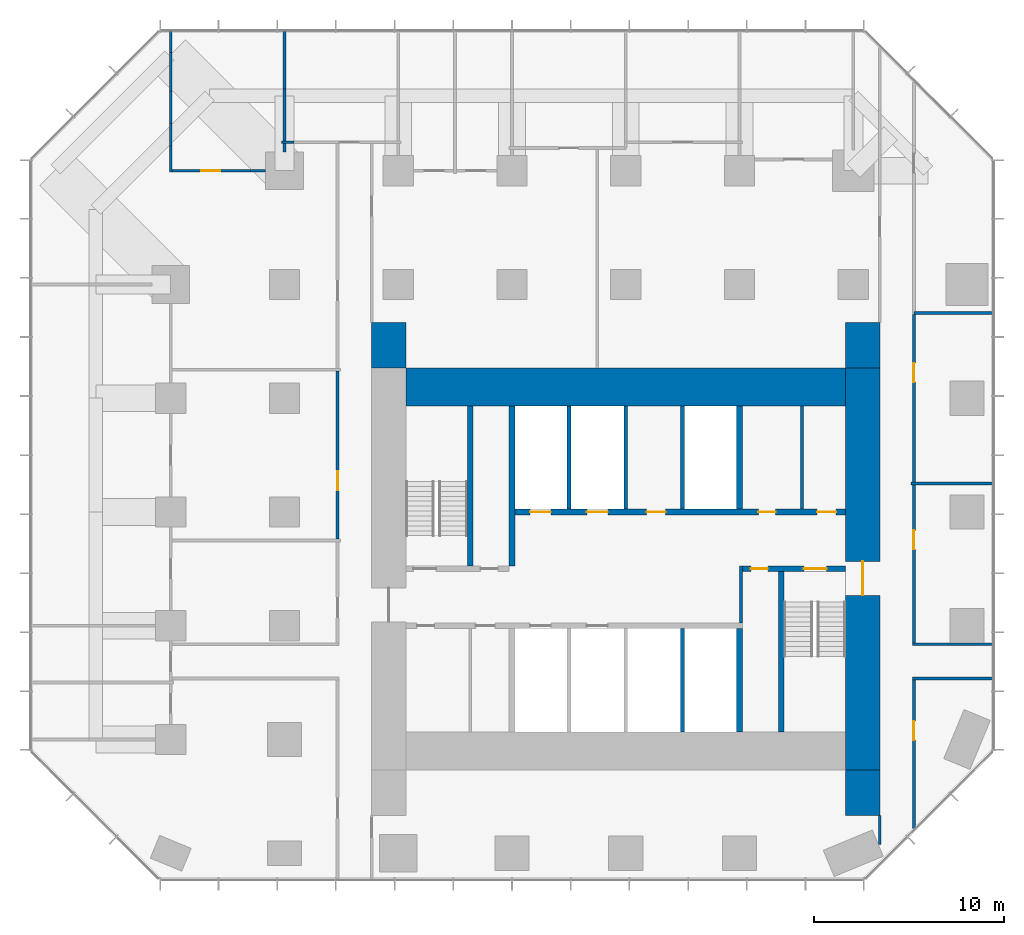
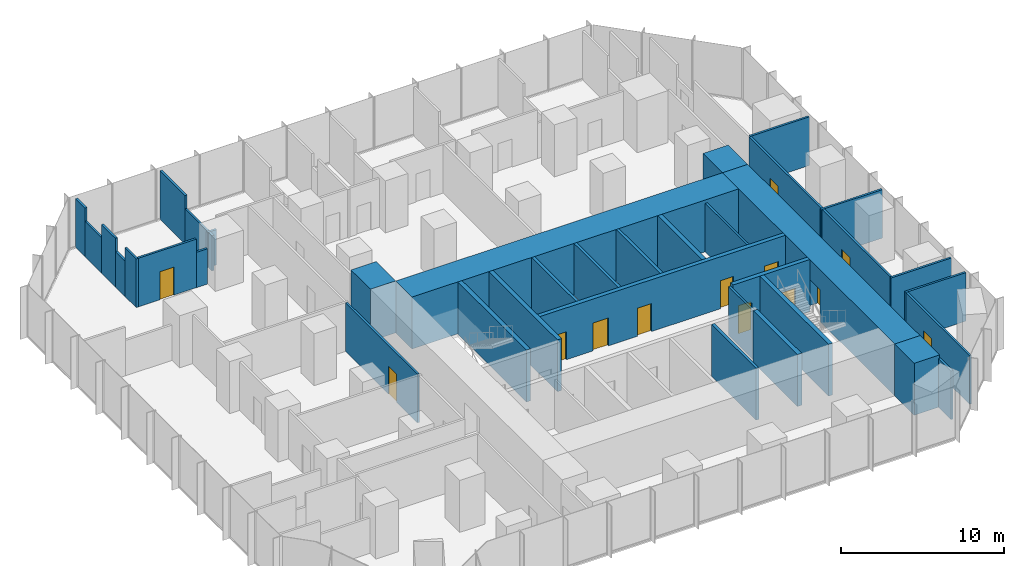
# One storey, part 9 of 12: 38 walls, 13 doors, 13 openings.
"""IFC4 building model written with IfcOpenShell, lengths in metres."""

from ifc_helpers import new_model, si_unit, direction, frame, frame_2d, origin, place, context, subcontext, project, spatial, rectangle, extrude, material, layer, layer_set, type_object, element, fill, save


model = new_model("IFC4")

# Units and contexts
model_context = context("Model", 3, precision=1e-05, world=origin(), true_north=direction((0.0, 1.0)))
body_context = subcontext(model_context, "Body", "Model", "MODEL_VIEW")
ifc_project = project(units=[si_unit("LENGTHUNIT", "METRE"), si_unit("AREAUNIT", "SQUARE_METRE"), si_unit("VOLUMEUNIT", "CUBIC_METRE"), si_unit("PLANEANGLEUNIT", "RADIAN"), si_unit("MASSUNIT", "GRAM", prefix="KILO")], contexts=[model_context])

# Site, building, storey
site_placement = place(None, origin())
site = spatial("IfcSite", under=ifc_project, at=site_placement, CompositionType="ELEMENT")
building_placement = place(site_placement, origin())
building = spatial("IfcBuilding", under=site, at=building_placement, Name="Highveld Stack Headquarters", CompositionType="ELEMENT")
storey_placement = place(building_placement, frame((0.0, 0.0, 101.60009765625)))
storey = spatial("IfcBuildingStorey", under=building, at=storey_placement, Name="L24", CompositionType="ELEMENT", Elevation=101.60009765625)

# Wall, opening, door
ifc_material_1 = material(Name="Concrete C60/75", Category="concrete")
ifc_layer_1 = layer(ifc_material_1, 1.800048828125)
ifc_layer_set_1 = layer_set([ifc_layer_1], Name="Concrete C60/75")
wall_type_1 = type_object("IfcWallType", Name="CORE WALL 1800 C60/75", PredefinedType="SHEAR", material=ifc_layer_set_1)
wall_1_placement = place(storey_placement, frame((18.5, -7.60009765625, 0.0), z_axis=(0.0, 0.0, 1.0), x_axis=(0.0, 1.0, 0.0)))
wall_1 = element("IfcWall", 1, at=wall_1_placement, inside=storey, type_object=wall_type_1, Name="Core wall E L24", PredefinedType="SHEAR", context=body_context, shape_type="SweptSolid", body=[
    extrude(rectangle(XDim=21.2001953125, YDim=1.800048828125, at=frame_2d((10.60009765625, 0.0))), origin(), (0.0, 0.0, 1.0), 3.89990234375),
])
opening_1_placement = place(wall_1_placement, frame((9.199951171875, 0.0, 0.0)))
opening_1 = element("IfcOpeningElement", 2, at=opening_1_placement, cuts=wall_1, Name="Opening L24-02", PredefinedType="OPENING", context=body_context, shape_type="SweptSolid", body=[
    extrude(rectangle(XDim=1.800048828125, YDim=2.39990234375, at=frame_2d((0.89990234375, 1.199951171875))), frame((0.0, 0.909912109375, 0.0), z_axis=(0.0, -1.0, 0.0), x_axis=(1.0, 0.0, 0.0)), (0.0, 0.0, 1.0), 1.820068359375),
])
ifc_material_2 = material(Name="Steel fire door", Category="steel")
door_type_1 = type_object("IfcDoorType", Name="LOBBY FIRE DOOR D4 1800x2400", OperationType="DOUBLE_DOOR_SINGLE_SWING", PredefinedType="DOOR", material=ifc_material_2)
door_1_placement = place(opening_1_placement, origin())
door_1 = element("IfcDoor", 3, at=door_1_placement, inside=storey, type_object=door_type_1, Name="Core east door L24", OperationType="DOUBLE_DOOR_SINGLE_SWING", OverallHeight=2.39990234375, OverallWidth=1.800048828125, PredefinedType="DOOR", context=body_context, shape_type="SweptSolid", body=[
    extrude(rectangle(XDim=1.800048828125, YDim=2.39990234375, at=frame_2d((0.89990234375, 1.199951171875))), frame((0.0, 0.02490234375, 0.0), z_axis=(0.0, -1.0, 0.0), x_axis=(1.0, 0.0, 0.0)), (0.0, 0.0, 1.0), 0.050048828125),
])
fill(opening_1, door_1)

# Wall
ifc_material_3 = material(Name="Concrete C60/75", Category="concrete")
ifc_layer_2 = layer(ifc_material_3, 2.0)
ifc_layer_set_2 = layer_set([ifc_layer_2], Name="Concrete C60/75")
wall_type_2 = type_object("IfcWallType", Name="CORE WALL 2000 C60/75", PredefinedType="SHEAR", material=ifc_layer_set_2)
wall_2_placement = place(storey_placement, frame((-5.60009765625, 12.60009765625, 0.0), z_axis=(0.0, 0.0, 1.0), x_axis=(1.0, 0.0, 0.0)))
element("IfcWall", 4, at=wall_2_placement, inside=storey, type_object=wall_type_2, Name="Core wall N L24", PredefinedType="SHEAR", context=body_context, shape_type="SweptSolid", body=[
    extrude(rectangle(XDim=23.2001953125, YDim=2.0, at=frame_2d((11.60009765625, 0.0))), origin(), (0.0, 0.0, 1.0), 3.89990234375),
])

# Wall, openings, doors
ifc_material_4 = material(Name="Concrete C60/75", Category="concrete")
ifc_layer_3 = layer(ifc_material_4, 0.300048828125)
ifc_layer_set_3 = layer_set([ifc_layer_3], Name="Concrete C60/75")
wall_type_3 = type_object("IfcWallType", Name="CORE WALL 300 C60/75", PredefinedType="SHEAR", material=ifc_layer_set_3)
wall_3_placement = place(storey_placement, frame((12.14990234375, 3.0, 0.0), z_axis=(0.0, 0.0, 1.0), x_axis=(1.0, 0.0, 0.0)))
wall_3 = element("IfcWall", 5, at=wall_3_placement, inside=storey, type_object=wall_type_3, Name="Core wall I-Y3E L24", PredefinedType="SHEAR", context=body_context, shape_type="SweptSolid", body=[
    extrude(rectangle(XDim=5.4501953125, YDim=0.300048828125, at=frame_2d((2.72509765625, 0.0))), origin(), (0.0, 0.0, 1.0), 3.89990234375),
])
opening_2_placement = place(wall_3_placement, frame((3.25, 0.0, 0.0)))
opening_2 = element("IfcOpeningElement", 6, at=opening_2_placement, cuts=wall_3, Name="Opening L24-05", PredefinedType="OPENING", context=body_context, shape_type="SweptSolid", body=[
    extrude(rectangle(XDim=1.199951171875, YDim=2.10009765625, at=frame_2d((0.60009765625, 1.050048828125))), frame((0.0, 0.159912109375, 0.0), z_axis=(0.0, -1.0, 0.0), x_axis=(1.0, 0.0, 0.0)), (0.0, 0.0, 1.0), 0.320068359375),
])
opening_3_placement = place(wall_3_placement, frame((0.449951171875, 0.0, 0.0)))
opening_3 = element("IfcOpeningElement", 7, at=opening_3_placement, cuts=wall_3, Name="Opening L24-06", PredefinedType="OPENING", context=body_context, shape_type="SweptSolid", body=[
    extrude(rectangle(XDim=0.89990234375, YDim=2.10009765625, at=frame_2d((0.449951171875, 1.050048828125))), frame((0.0, 0.159912109375, 0.0), z_axis=(0.0, -1.0, 0.0), x_axis=(1.0, 0.0, 0.0)), (0.0, 0.0, 1.0), 0.320068359375),
])
ifc_material_5 = material(Name="Steel fire door", Category="steel")
door_type_2 = type_object("IfcDoorType", Name="RISER ACCESS DOOR D5 900x2100", OperationType="SINGLE_SWING_LEFT", PredefinedType="DOOR", material=ifc_material_5)
door_2_placement = place(opening_3_placement, origin())
door_2 = element("IfcDoor", 8, at=door_2_placement, inside=storey, type_object=door_type_2, Name="Riser R2 door L24", OperationType="SINGLE_SWING_LEFT", OverallHeight=2.10009765625, OverallWidth=0.89990234375, PredefinedType="DOOR", context=body_context, shape_type="SweptSolid", body=[
    extrude(rectangle(XDim=0.89990234375, YDim=2.10009765625, at=frame_2d((0.449951171875, 1.050048828125))), frame((0.0, 0.02490234375, 0.0), z_axis=(0.0, -1.0, 0.0), x_axis=(1.0, 0.0, 0.0)), (0.0, 0.0, 1.0), 0.050048828125),
])
fill(opening_3, door_2)
ifc_material_6 = material(Name="Steel fire door", Category="steel")
door_type_3 = type_object("IfcDoorType", Name="STAIR FIRE DOOR D3 1200x2100", OperationType="SINGLE_SWING_LEFT", PredefinedType="DOOR", material=ifc_material_6)
door_3_placement = place(opening_2_placement, origin())
door_3 = element("IfcDoor", 9, at=door_3_placement, inside=storey, type_object=door_type_3, Name="Stair S2 door L24", OperationType="SINGLE_SWING_RIGHT", OverallHeight=2.10009765625, OverallWidth=1.199951171875, PredefinedType="DOOR", context=body_context, shape_type="SweptSolid", body=[
    extrude(rectangle(XDim=1.199951171875, YDim=2.10009765625, at=frame_2d((0.60009765625, 1.050048828125))), frame((0.0, 0.02490234375, 0.0), z_axis=(0.0, -1.0, 0.0), x_axis=(1.0, 0.0, 0.0)), (0.0, 0.0, 1.0), 0.050048828125),
])
fill(opening_2, door_3)

wall_4_placement = place(storey_placement, frame((-0.14990234375, 6.0, 0.0), z_axis=(0.0, 0.0, 1.0), x_axis=(1.0, 0.0, 0.0)))
wall_4 = element("IfcWall", 10, at=wall_4_placement, inside=storey, type_object=wall_type_3, Name="Core wall I-Y6 L24", PredefinedType="SHEAR", context=body_context, shape_type="SweptSolid", body=[
    extrude(rectangle(XDim=17.75, YDim=0.300048828125, at=frame_2d((8.875, 0.0))), origin(), (0.0, 0.0, 1.0), 3.89990234375),
])
opening_4_placement = place(wall_4_placement, frame((13.14990234375, 0.0, 0.0)))
opening_4 = element("IfcOpeningElement", 11, at=opening_4_placement, cuts=wall_4, Name="Opening L24-09", PredefinedType="OPENING", context=body_context, shape_type="SweptSolid", body=[
    extrude(rectangle(XDim=0.89990234375, YDim=2.10009765625, at=frame_2d((0.449951171875, 1.050048828125))), frame((0.0, 0.159912109375, 0.0), z_axis=(0.0, -1.0, 0.0), x_axis=(1.0, 0.0, 0.0)), (0.0, 0.0, 1.0), 0.320068359375),
])
opening_5_placement = place(wall_4_placement, frame((16.25, 0.0, 0.0)))
opening_5 = element("IfcOpeningElement", 12, at=opening_5_placement, cuts=wall_4, Name="Opening L24-10", PredefinedType="OPENING", context=body_context, shape_type="SweptSolid", body=[
    extrude(rectangle(XDim=1.0, YDim=2.10009765625, at=frame_2d((0.5, 1.050048828125))), frame((0.0, 0.159912109375, 0.0), z_axis=(0.0, -1.0, 0.0), x_axis=(1.0, 0.0, 0.0)), (0.0, 0.0, 1.0), 0.320068359375),
])
opening_6_placement = place(wall_4_placement, frame((7.25, 0.0, 0.0)))
opening_6 = element("IfcOpeningElement", 13, at=opening_6_placement, cuts=wall_4, Name="Opening L24-11", PredefinedType="OPENING", context=body_context, shape_type="SweptSolid", body=[
    extrude(rectangle(XDim=1.0, YDim=2.10009765625, at=frame_2d((0.5, 1.050048828125))), frame((0.0, 0.159912109375, 0.0), z_axis=(0.0, -1.0, 0.0), x_axis=(1.0, 0.0, 0.0)), (0.0, 0.0, 1.0), 0.320068359375),
])
opening_7_placement = place(wall_4_placement, frame((1.10009765625, 0.0, 0.0)))
opening_7 = element("IfcOpeningElement", 14, at=opening_7_placement, cuts=wall_4, Name="Opening LD", PredefinedType="OPENING", context=body_context, shape_type="SweptSolid", body=[
    extrude(rectangle(XDim=1.10009765625, YDim=2.10009765625, at=frame_2d((0.550048828125, 1.050048828125))), frame((0.0, 0.159912109375, 0.0), z_axis=(0.0, -1.0, 0.0), x_axis=(1.0, 0.0, 0.0)), (0.0, 0.0, 1.0), 0.320068359375),
])
opening_8_placement = place(wall_4_placement, frame((4.10009765625, 0.0, 0.0)))
opening_8 = element("IfcOpeningElement", 15, at=opening_8_placement, cuts=wall_4, Name="Opening LD", PredefinedType="OPENING", context=body_context, shape_type="SweptSolid", body=[
    extrude(rectangle(XDim=1.10009765625, YDim=2.10009765625, at=frame_2d((0.550048828125, 1.050048828125))), frame((0.0, 0.159912109375, 0.0), z_axis=(0.0, -1.0, 0.0), x_axis=(1.0, 0.0, 0.0)), (0.0, 0.0, 1.0), 0.320068359375),
])
ifc_material_7 = material(Name="Timber door, painted", Category="wood")
door_type_4 = type_object("IfcDoorType", Name="ACCESSIBLE WC DOOR D2 1000x2100", OperationType="SINGLE_SWING_RIGHT", PredefinedType="DOOR", material=ifc_material_7)
door_4_placement = place(opening_5_placement, origin())
door_4 = element("IfcDoor", 16, at=door_4_placement, inside=storey, type_object=door_type_4, Name="Accessible WC door L24", OperationType="SINGLE_SWING_RIGHT", OverallHeight=2.10009765625, OverallWidth=1.0, PredefinedType="DOOR", context=body_context, shape_type="SweptSolid", body=[
    extrude(rectangle(XDim=1.0, YDim=2.10009765625, at=frame_2d((0.5, 1.050048828125))), frame((0.0, 0.02490234375, 0.0), z_axis=(0.0, -1.0, 0.0), x_axis=(1.0, 0.0, 0.0)), (0.0, 0.0, 1.0), 0.050048828125),
])
fill(opening_5, door_4)
ifc_material_8 = material(Name="Steel fire door", Category="steel")
door_type_5 = type_object("IfcDoorType", Name="CORE ROOM FIRE DOOR D14 1000x2100", OperationType="SINGLE_SWING_LEFT", PredefinedType="DOOR", material=ifc_material_8)
door_5_placement = place(opening_6_placement, origin())
door_5 = element("IfcDoor", 17, at=door_5_placement, inside=storey, type_object=door_type_5, Name="Capped A 1 door L24", OperationType="SINGLE_SWING_LEFT", OverallHeight=2.10009765625, OverallWidth=1.0, PredefinedType="DOOR", context=body_context, shape_type="SweptSolid", body=[
    extrude(rectangle(XDim=1.0, YDim=2.10009765625, at=frame_2d((0.5, 1.050048828125))), frame((0.0, 0.02490234375, 0.0), z_axis=(0.0, -1.0, 0.0), x_axis=(1.0, 0.0, 0.0)), (0.0, 0.0, 1.0), 0.050048828125),
])
fill(opening_6, door_5)
ifc_material_9 = material(Name="Stainless steel lift landing door", Category="steel")
door_type_6 = type_object("IfcDoorType", Name="LIFT LANDING DOOR LD 1100x2100", OperationType="DOUBLE_DOOR_SLIDING", PredefinedType="USERDEFINED", material=ifc_material_9)
door_6_placement = place(opening_7_placement, origin())
door_6 = element("IfcDoor", 18, at=door_6_placement, inside=storey, type_object=door_type_6, Name="Lift landing door FF1 L24", ObjectType="LIFT LANDING DOOR", OperationType="DOUBLE_DOOR_SLIDING", OverallHeight=2.10009765625, OverallWidth=1.10009765625, PredefinedType="USERDEFINED", context=body_context, shape_type="SweptSolid", body=[
    extrude(rectangle(XDim=1.10009765625, YDim=2.10009765625, at=frame_2d((0.550048828125, 1.050048828125))), frame((0.0, 0.02490234375, 0.0), z_axis=(0.0, -1.0, 0.0), x_axis=(1.0, 0.0, 0.0)), (0.0, 0.0, 1.0), 0.050048828125),
])
fill(opening_7, door_6)
door_7_placement = place(opening_8_placement, origin())
door_7 = element("IfcDoor", 19, at=door_7_placement, inside=storey, type_object=door_type_6, Name="Lift landing door FF2 L24", ObjectType="LIFT LANDING DOOR", OperationType="DOUBLE_DOOR_SLIDING", OverallHeight=2.10009765625, OverallWidth=1.10009765625, PredefinedType="USERDEFINED", context=body_context, shape_type="SweptSolid", body=[
    extrude(rectangle(XDim=1.10009765625, YDim=2.10009765625, at=frame_2d((0.550048828125, 1.050048828125))), frame((0.0, 0.02490234375, 0.0), z_axis=(0.0, -1.0, 0.0), x_axis=(1.0, 0.0, 0.0)), (0.0, 0.0, 1.0), 0.050048828125),
])
fill(opening_8, door_7)
ifc_material_10 = material(Name="Timber door, painted", Category="wood")
door_type_7 = type_object("IfcDoorType", Name="WC DOOR D1 900x2100", OperationType="SINGLE_SWING_LEFT", PredefinedType="DOOR", material=ifc_material_10)
door_8_placement = place(opening_4_placement, origin())
door_8 = element("IfcDoor", 20, at=door_8_placement, inside=storey, type_object=door_type_7, Name="Male WC door L24", OperationType="SINGLE_SWING_RIGHT", OverallHeight=2.10009765625, OverallWidth=0.89990234375, PredefinedType="DOOR", context=body_context, shape_type="SweptSolid", body=[
    extrude(rectangle(XDim=0.89990234375, YDim=2.10009765625, at=frame_2d((0.449951171875, 1.050048828125))), frame((0.0, 0.02490234375, 0.0), z_axis=(0.0, -1.0, 0.0), x_axis=(1.0, 0.0, 0.0)), (0.0, 0.0, 1.0), 0.050048828125),
])
fill(opening_4, door_8)

# Walls
wall_5_placement = place(storey_placement, frame((0.0, 3.14990234375, 0.0), z_axis=(0.0, 0.0, 1.0), x_axis=(0.0, 1.0, 0.0)))
element("IfcWall", 21, at=wall_5_placement, inside=storey, type_object=wall_type_3, Name="Core wall I-X0N L24", PredefinedType="SHEAR", context=body_context, shape_type="SweptSolid", body=[
    extrude(rectangle(XDim=8.4501953125, YDim=0.300048828125, at=frame_2d((4.22509765625, 0.0))), origin(), (0.0, 0.0, 1.0), 3.89990234375),
])
for number, where, z_axis, x_axis, name in (
    (22, (12.0, -5.60009765625, 0.0), (0.0, 0.0, 1.0), (0.0, 1.0, 0.0), "Core wall I-X12S L24"),
    (23, (12.0, 6.14990234375, 0.0), (0.0, 0.0, 1.0), (0.0, 1.0, 0.0), "Core wall I-X12N L24"),
):
    element("IfcWall", number, at=place(storey_placement, frame(where, z_axis=z_axis, x_axis=x_axis)), inside=storey, type_object=wall_type_3, Name=name, PredefinedType="SHEAR", context=body_context, shape_type="SweptSolid", body=[
        extrude(rectangle(XDim=5.4501953125, YDim=0.300048828125, at=frame_2d((2.72509765625, 0.0))), origin(), (0.0, 0.0, 1.0), 3.89990234375),
    ])
for number, where, z_axis, x_axis, name in (
    (24, (-2.199951171875, 3.14990234375, 0.0), (0.0, 0.0, 1.0), (0.0, 1.0, 0.0), "Core wall I-RW L24"),
    (25, (14.199951171875, -5.60009765625, 0.0), (0.0, 0.0, 1.0), (0.0, 1.0, 0.0), "Core wall I-RE L24"),
):
    element("IfcWall", number, at=place(storey_placement, frame(where, z_axis=z_axis, x_axis=x_axis)), inside=storey, type_object=wall_type_3, Name=name, PredefinedType="SHEAR", context=body_context, shape_type="SweptSolid", body=[
        extrude(rectangle(XDim=8.4501953125, YDim=0.300048828125, at=frame_2d((4.22509765625, 0.0))), origin(), (0.0, 0.0, 1.0), 3.89990234375),
    ])
ifc_material_11 = material(Name="Concrete C60/75", Category="concrete")
ifc_layer_4 = layer(ifc_material_11, 1.800048828125)
ifc_layer_set_4 = layer_set([ifc_layer_4], Name="Concrete C60/75")
wall_type_4 = type_object("IfcWallType", Name="CORE WING WALL 1800 C60/75", PredefinedType="SHEAR", material=ifc_layer_set_4)
for number, where, z_axis, x_axis, name in (
    (26, (-6.5, 13.60009765625, 0.0), (0.0, 0.0, 1.0), (0.0, 1.0, 0.0), "Core wing wall WN L24"),
    (27, (18.5, -10.0, 0.0), (0.0, 0.0, 1.0), (0.0, 1.0, 0.0), "Core wing wall ES L24"),
    (28, (18.5, 13.60009765625, 0.0), (0.0, 0.0, 1.0), (0.0, 1.0, 0.0), "Core wing wall EN L24"),
):
    element("IfcWall", number, at=place(storey_placement, frame(where, z_axis=z_axis, x_axis=x_axis)), inside=storey, type_object=wall_type_4, Name=name, PredefinedType="SHEAR", context=body_context, shape_type="SweptSolid", body=[
        extrude(rectangle(XDim=2.39990234375, YDim=1.800048828125, at=frame_2d((1.199951171875, 0.0))), origin(), (0.0, 0.0, 1.0), 3.89990234375),
    ])
ifc_material_12 = material(Name="Concrete blockwork, plastered", Category="masonry")
ifc_layer_5 = layer(ifc_material_12, 0.14990234375)
ifc_layer_set_5 = layer_set([ifc_layer_5], Name="Concrete blockwork, plastered")
wall_type_5 = type_object("IfcWallType", Name="FIRE PARTITION 150 BLOCKWORK", PredefinedType="PARTITIONING", material=ifc_layer_set_5)
wall_6_placement = place(storey_placement, frame((12.074951171875, 0.14990234375, 0.0), z_axis=(0.0, 0.0, 1.0), x_axis=(0.0, 1.0, 0.0)))
element("IfcWall", 29, at=wall_6_placement, inside=storey, type_object=wall_type_5, Name="Riser R2 enclosure L24", PredefinedType="PARTITIONING", context=body_context, shape_type="SweptSolid", body=[
    extrude(rectangle(XDim=3.0, YDim=0.14990234375, at=frame_2d((1.5, 0.0))), origin(), (0.0, 0.0, 1.0), 3.64990234375),
])

# Wall, opening, door
ifc_material_13 = material(Name="Laminated glass in aluminium frame", Category="aluminium")
ifc_layer_6 = layer(ifc_material_13, 0.14990234375)
ifc_layer_set_6 = layer_set([ifc_layer_6], Name="Laminated glass in aluminium frame")
wall_type_6 = type_object("IfcWallType", Name="GLAZED PARTITION 150", PredefinedType="PARTITIONING", material=ifc_layer_set_6)
wall_7_placement = place(storey_placement, frame((-17.925048828125, 24.0, 0.0), z_axis=(0.0, 0.0, 1.0), x_axis=(1.0, 0.0, 0.0)))
wall_7 = element("IfcWall", 30, at=wall_7_placement, inside=storey, type_object=wall_type_6, Name="Glazed partition Meeting room L24", PredefinedType="PARTITIONING", context=body_context, shape_type="SweptSolid", body=[
    extrude(rectangle(XDim=4.133056640625, YDim=0.14990234375, at=frame_2d((2.06640625, 0.0))), origin(), (0.0, 0.0, 1.0), 3.64990234375),
])
opening_9_placement = place(wall_7_placement, frame((1.529052734375, 0.0, 0.0)))
opening_9 = element("IfcOpeningElement", 31, at=opening_9_placement, cuts=wall_7, Name="Opening L24-16", PredefinedType="OPENING", context=body_context, shape_type="SweptSolid", body=[
    extrude(rectangle(XDim=1.0, YDim=2.10009765625, at=frame_2d((0.5, 1.050048828125))), frame((0.0, 0.0849609375, 0.0), z_axis=(0.0, -1.0, 0.0), x_axis=(1.0, 0.0, 0.0)), (0.0, 0.0, 1.0), 0.169921875),
])
ifc_material_14 = material(Name="Timber door, oiled ash", Category="wood")
door_type_8 = type_object("IfcDoorType", Name="ROOM DOOR D6 1000x2100", OperationType="SINGLE_SWING_LEFT", PredefinedType="DOOR", material=ifc_material_14)
door_9_placement = place(opening_9_placement, origin())
door_9 = element("IfcDoor", 32, at=door_9_placement, inside=storey, type_object=door_type_8, Name="Meeting room door 1 L24", OperationType="SINGLE_SWING_LEFT", OverallHeight=2.10009765625, OverallWidth=1.0, PredefinedType="DOOR", context=body_context, shape_type="SweptSolid", body=[
    extrude(rectangle(XDim=1.0, YDim=2.10009765625, at=frame_2d((0.5, 1.050048828125))), frame((0.0, 0.02490234375, 0.0), z_axis=(0.0, -1.0, 0.0), x_axis=(1.0, 0.0, 0.0)), (0.0, 0.0, 1.0), 0.050048828125),
])
fill(opening_9, door_9)

# Walls
wall_8_placement = place(storey_placement, frame((-13.7919921875, 24.0, 0.0), z_axis=(0.0, 0.0, 1.0), x_axis=(1.0, 0.0, 0.0)))
element("IfcWall", 33, at=wall_8_placement, inside=storey, type_object=wall_type_6, Name="Glazed partition Meeting room L24", PredefinedType="PARTITIONING", context=body_context, shape_type="SweptSolid", body=[
    extrude(rectangle(XDim=0.7919921875, YDim=0.14990234375, at=frame_2d((0.39599609375, 0.0))), origin(), (0.0, 0.0, 1.0), 2.64990234375),
])
ifc_material_15 = material(Name="Concrete blockwork, fair-faced", Category="masonry")
ifc_layer_7 = layer(ifc_material_15, 0.199951171875)
ifc_layer_set_7 = layer_set([ifc_layer_7], Name="Concrete blockwork, fair-faced")
wall_type_7 = type_object("IfcWallType", Name="LIFT SHAFT ENCLOSURE WALL 200 BLOCKWORK", PredefinedType="SOLIDWALL", material=ifc_layer_set_7)
for number, where, z_axis, x_axis, name in (
    (34, (3.0, 6.14990234375, 0.0), (0.0, 0.0, 1.0), (0.0, 1.0, 0.0), "Lift shaft wall L24"),
    (35, (6.0, 6.14990234375, 0.0), (0.0, 0.0, 1.0), (0.0, 1.0, 0.0), "Lift shaft wall L24"),
    (36, (9.0, 6.14990234375, 0.0), (0.0, 0.0, 1.0), (0.0, 1.0, 0.0), "Lift shaft wall L24"),
    (37, (9.0, -5.60009765625, 0.0), (0.0, 0.0, 1.0), (0.0, 1.0, 0.0), "Lift shaft wall L24"),
):
    element("IfcWall", number, at=place(storey_placement, frame(where, z_axis=z_axis, x_axis=x_axis)), inside=storey, type_object=wall_type_7, Name=name, PredefinedType="SOLIDWALL", context=body_context, shape_type="SweptSolid", body=[
        extrude(rectangle(XDim=5.4501953125, YDim=0.199951171875, at=frame_2d((2.72509765625, 0.0))), origin(), (0.0, 0.0, 1.0), 3.89990234375),
    ])
ifc_material_16 = material(Name="Gypsum plasterboard on steel studs", Category="steel")
ifc_layer_8 = layer(ifc_material_16, 0.14990234375)
ifc_layer_set_8 = layer_set([ifc_layer_8], Name="Gypsum plasterboard on steel studs")
wall_type_8 = type_object("IfcWallType", Name="PARTITION 150 PLASTERBOARD", PredefinedType="PARTITIONING", material=ifc_layer_set_8)
wall_9_placement = place(storey_placement, frame((-12.14990234375, 25.5, 0.0), z_axis=(0.0, 0.0, 1.0), x_axis=(1.0, 0.0, 0.0)))
element("IfcWall", 38, at=wall_9_placement, inside=storey, type_object=wall_type_8, Name="Partition Quiet room L24", PredefinedType="PARTITIONING", context=body_context, shape_type="SweptSolid", body=[
    extrude(rectangle(XDim=0.659912109375, YDim=0.14990234375, at=frame_2d((0.330078125, 0.0))), origin(), (0.0, 0.0, 1.0), 2.64990234375),
])
wall_10_placement = place(storey_placement, frame((-18.0, 23.925048828125, 0.0), z_axis=(0.0, 0.0, 1.0), x_axis=(0.0, 1.0, 0.0)))
element("IfcWall", 39, at=wall_10_placement, inside=storey, type_object=wall_type_8, Name="Partition Meeting room L24", PredefinedType="PARTITIONING", context=body_context, shape_type="SweptSolid", body=[
    extrude(rectangle(XDim=1.385009765625, YDim=0.14990234375, at=frame_2d((0.6923828125, 0.0))), origin(), (0.0, 0.0, 1.0), 3.64990234375),
])
wall_11_placement = place(storey_placement, frame((-18.0, 25.31005859375, 0.0), z_axis=(0.0, 0.0, 1.0), x_axis=(0.0, 1.0, 0.0)))
element("IfcWall", 40, at=wall_11_placement, inside=storey, type_object=wall_type_8, Name="Partition Meeting room L24", PredefinedType="PARTITIONING", context=body_context, shape_type="SweptSolid", body=[
    extrude(rectangle(XDim=1.179931640625, YDim=0.14990234375, at=frame_2d((0.58984375, 0.0))), origin(), (0.0, 0.0, 1.0), 2.64990234375),
])
wall_12_placement = place(storey_placement, frame((-18.0, 26.489990234375, 0.0), z_axis=(0.0, 0.0, 1.0), x_axis=(0.0, 1.0, 0.0)))
element("IfcWall", 41, at=wall_12_placement, inside=storey, type_object=wall_type_8, Name="Partition Meeting room L24", PredefinedType="PARTITIONING", context=body_context, shape_type="SweptSolid", body=[
    extrude(rectangle(XDim=1.718017578125, YDim=0.14990234375, at=frame_2d((0.85888671875, 0.0))), origin(), (0.0, 0.0, 1.0), 3.64990234375),
])
wall_13_placement = place(storey_placement, frame((-18.0, 28.2080078125, 0.0), z_axis=(0.0, 0.0, 1.0), x_axis=(0.0, 1.0, 0.0)))
element("IfcWall", 42, at=wall_13_placement, inside=storey, type_object=wall_type_8, Name="Partition Meeting room L24", PredefinedType="PARTITIONING", context=body_context, shape_type="SweptSolid", body=[
    extrude(rectangle(XDim=2.029052734375, YDim=0.14990234375, at=frame_2d((1.0146484375, 0.0))), origin(), (0.0, 0.0, 1.0), 2.64990234375),
])
wall_14_placement = place(storey_placement, frame((-18.0, 30.237060546875, 0.0), z_axis=(0.0, 0.0, 1.0), x_axis=(0.0, 1.0, 0.0)))
element("IfcWall", 43, at=wall_14_placement, inside=storey, type_object=wall_type_8, Name="Partition Meeting room L24", PredefinedType="PARTITIONING", context=body_context, shape_type="SweptSolid", body=[
    extrude(rectangle(XDim=1.162841796875, YDim=0.14990234375, at=frame_2d((0.58154296875, 0.0))), origin(), (0.0, 0.0, 1.0), 3.64990234375),
])
wall_15_placement = place(storey_placement, frame((-12.0, 25.0, 0.0), z_axis=(0.0, 0.0, 1.0), x_axis=(0.0, 1.0, 0.0)))
element("IfcWall", 44, at=wall_15_placement, inside=storey, type_object=wall_type_8, Name="Partition Meeting room L24", PredefinedType="PARTITIONING", context=body_context, shape_type="SweptSolid", body=[
    extrude(rectangle(XDim=0.425048828125, YDim=0.14990234375, at=frame_2d((0.21240234375, 0.0))), origin(), (0.0, 0.0, 1.0), 2.64990234375),
])
wall_16_placement = place(storey_placement, frame((-12.0, 25.574951171875, 0.0), z_axis=(0.0, 0.0, 1.0), x_axis=(0.0, 1.0, 0.0)))
element("IfcWall", 45, at=wall_16_placement, inside=storey, type_object=wall_type_8, Name="Partition Meeting room / Quiet room L24", PredefinedType="PARTITIONING", context=body_context, shape_type="SweptSolid", body=[
    extrude(rectangle(XDim=2.735107421875, YDim=0.14990234375, at=frame_2d((1.36767578125, 0.0))), origin(), (0.0, 0.0, 1.0), 2.64990234375),
])
wall_17_placement = place(storey_placement, frame((-12.0, 28.31005859375, 0.0), z_axis=(0.0, 0.0, 1.0), x_axis=(0.0, 1.0, 0.0)))
element("IfcWall", 46, at=wall_17_placement, inside=storey, type_object=wall_type_8, Name="Partition Meeting room / Quiet room L24", PredefinedType="PARTITIONING", context=body_context, shape_type="SweptSolid", body=[
    extrude(rectangle(XDim=3.08984375, YDim=0.14990234375, at=frame_2d((1.544921875, 0.0))), origin(), (0.0, 0.0, 1.0), 3.64990234375),
])

# Wall, opening, door
wall_18_placement = place(storey_placement, frame((-9.199951171875, 4.574951171875, 0.0), z_axis=(0.0, 0.0, 1.0), x_axis=(0.0, 1.0, 0.0)))
wall_18 = element("IfcWall", 47, at=wall_18_placement, inside=storey, type_object=wall_type_8, Name="Partition office neighbourhood L24", PredefinedType="PARTITIONING", context=body_context, shape_type="SweptSolid", body=[
    extrude(rectangle(XDim=8.85009765625, YDim=0.14990234375, at=frame_2d((4.425048828125, 0.0))), origin(), (0.0, 0.0, 1.0), 3.64990234375),
])
opening_10_placement = place(wall_18_placement, frame((2.574951171875, 0.0, 0.0)))
opening_10 = element("IfcOpeningElement", 48, at=opening_10_placement, cuts=wall_18, Name="Opening L24-26", PredefinedType="OPENING", context=body_context, shape_type="SweptSolid", body=[
    extrude(rectangle(XDim=1.0, YDim=2.10009765625, at=frame_2d((0.5, 1.050048828125))), frame((0.0, 0.0849609375, 0.0), z_axis=(0.0, -1.0, 0.0), x_axis=(1.0, 0.0, 0.0)), (0.0, 0.0, 1.0), 0.169921875),
])
door_10_placement = place(opening_10_placement, origin())
door_10 = element("IfcDoor", 49, at=door_10_placement, inside=storey, type_object=door_type_8, Name="Office neighbourhood door L24", OperationType="SINGLE_SWING_LEFT", OverallHeight=2.10009765625, OverallWidth=1.0, PredefinedType="DOOR", context=body_context, shape_type="SweptSolid", body=[
    extrude(rectangle(XDim=1.0, YDim=2.10009765625, at=frame_2d((0.5, 1.050048828125))), frame((0.0, 0.02490234375, 0.0), z_axis=(0.0, -1.0, 0.0), x_axis=(1.0, 0.0, 0.0)), (0.0, 0.0, 1.0), 0.050048828125),
])
fill(opening_10, door_10)

# Wall
wall_19_placement = place(storey_placement, frame((19.39990234375, -11.54052734375, 0.0), z_axis=(0.0, 0.0, 1.0), x_axis=(0.0, 1.0, 0.0)))
element("IfcWall", 50, at=wall_19_placement, inside=storey, type_object=wall_type_8, Name="Partition office neighbourhood L24", PredefinedType="PARTITIONING", context=body_context, shape_type="SweptSolid", body=[
    extrude(rectangle(XDim=1.54052734375, YDim=0.14990234375, at=frame_2d((0.770263671875, 0.0))), origin(), (0.0, 0.0, 1.0), 3.64990234375),
])

# Wall, opening, door
wall_20_placement = place(storey_placement, frame((21.199951171875, -10.68896484375, 0.0), z_axis=(0.0, 0.0, 1.0), x_axis=(0.0, 1.0, 0.0)))
wall_20 = element("IfcWall", 51, at=wall_20_placement, inside=storey, type_object=wall_type_8, Name="Partition office neighbourhood L24", PredefinedType="PARTITIONING", context=body_context, shape_type="SweptSolid", body=[
    extrude(rectangle(XDim=7.8388671875, YDim=0.14990234375, at=frame_2d((3.91943359375, 0.0))), origin(), (0.0, 0.0, 1.0), 3.64990234375),
])
opening_11_placement = place(wall_20_placement, frame((4.662109375, 0.0, 0.0)))
opening_11 = element("IfcOpeningElement", 52, at=opening_11_placement, cuts=wall_20, Name="Opening L24-24", PredefinedType="OPENING", context=body_context, shape_type="SweptSolid", body=[
    extrude(rectangle(XDim=1.0, YDim=2.10009765625, at=frame_2d((0.5, 1.050048828125))), frame((0.0, 0.0849609375, 0.0), z_axis=(0.0, -1.0, 0.0), x_axis=(1.0, 0.0, 0.0)), (0.0, 0.0, 1.0), 0.169921875),
])
door_11_placement = place(opening_11_placement, origin())
door_11 = element("IfcDoor", 53, at=door_11_placement, inside=storey, type_object=door_type_8, Name="Office neighbourhood door L24", OperationType="SINGLE_SWING_RIGHT", OverallHeight=2.10009765625, OverallWidth=1.0, PredefinedType="DOOR", context=body_context, shape_type="SweptSolid", body=[
    extrude(rectangle(XDim=1.0, YDim=2.10009765625, at=frame_2d((0.5, 1.050048828125))), frame((0.0, 0.02490234375, 0.0), z_axis=(0.0, -1.0, 0.0), x_axis=(1.0, 0.0, 0.0)), (0.0, 0.0, 1.0), 0.050048828125),
])
fill(opening_11, door_11)

# Wall
wall_21_placement = place(storey_placement, frame((21.125, -2.77490234375, 0.0), z_axis=(0.0, 0.0, 1.0), x_axis=(1.0, 0.0, 0.0)))
element("IfcWall", 54, at=wall_21_placement, inside=storey, type_object=wall_type_8, Name="Partition office neighbourhood L24", PredefinedType="PARTITIONING", context=body_context, shape_type="SweptSolid", body=[
    extrude(rectangle(XDim=4.27490234375, YDim=0.14990234375, at=frame_2d((2.137451171875, 0.0))), origin(), (0.0, 0.0, 1.0), 3.64990234375),
])

# Wall, opening, door
wall_22_placement = place(storey_placement, frame((21.199951171875, -0.89990234375, 0.0), z_axis=(0.0, 0.0, 1.0), x_axis=(0.0, 1.0, 0.0)))
wall_22 = element("IfcWall", 55, at=wall_22_placement, inside=storey, type_object=wall_type_8, Name="Partition office neighbourhood L24", PredefinedType="PARTITIONING", context=body_context, shape_type="SweptSolid", body=[
    extrude(rectangle(XDim=8.324951171875, YDim=0.14990234375, at=frame_2d((4.16259765625, 0.0))), origin(), (0.0, 0.0, 1.0), 3.64990234375),
])
opening_12_placement = place(wall_22_placement, frame((4.93408203125, 0.0, 0.0)))
opening_12 = element("IfcOpeningElement", 56, at=opening_12_placement, cuts=wall_22, Name="Opening L24-25", PredefinedType="OPENING", context=body_context, shape_type="SweptSolid", body=[
    extrude(rectangle(XDim=1.0, YDim=2.10009765625, at=frame_2d((0.5, 1.050048828125))), frame((0.0, 0.0849609375, 0.0), z_axis=(0.0, -1.0, 0.0), x_axis=(1.0, 0.0, 0.0)), (0.0, 0.0, 1.0), 0.169921875),
])
door_12_placement = place(opening_12_placement, origin())
door_12 = element("IfcDoor", 57, at=door_12_placement, inside=storey, type_object=door_type_8, Name="Office neighbourhood door L24", OperationType="SINGLE_SWING_RIGHT", OverallHeight=2.10009765625, OverallWidth=1.0, PredefinedType="DOOR", context=body_context, shape_type="SweptSolid", body=[
    extrude(rectangle(XDim=1.0, YDim=2.10009765625, at=frame_2d((0.5, 1.050048828125))), frame((0.0, 0.02490234375, 0.0), z_axis=(0.0, -1.0, 0.0), x_axis=(1.0, 0.0, 0.0)), (0.0, 0.0, 1.0), 0.050048828125),
])
fill(opening_12, door_12)

# Wall
wall_23_placement = place(storey_placement, frame((21.125, -0.97509765625, 0.0), z_axis=(0.0, 0.0, 1.0), x_axis=(1.0, 0.0, 0.0)))
element("IfcWall", 58, at=wall_23_placement, inside=storey, type_object=wall_type_8, Name="Partition office neighbourhood L24", PredefinedType="PARTITIONING", context=body_context, shape_type="SweptSolid", body=[
    extrude(rectangle(XDim=4.27490234375, YDim=0.14990234375, at=frame_2d((2.137451171875, 0.0))), origin(), (0.0, 0.0, 1.0), 3.64990234375),
])

# Wall, opening, door
wall_24_placement = place(storey_placement, frame((21.199951171875, 7.574951171875, 0.0), z_axis=(0.0, 0.0, 1.0), x_axis=(0.0, 1.0, 0.0)))
wall_24 = element("IfcWall", 59, at=wall_24_placement, inside=storey, type_object=wall_type_8, Name="Partition office neighbourhood L24", PredefinedType="PARTITIONING", context=body_context, shape_type="SweptSolid", body=[
    extrude(rectangle(XDim=8.85009765625, YDim=0.14990234375, at=frame_2d((4.425048828125, 0.0))), origin(), (0.0, 0.0, 1.0), 3.64990234375),
])
opening_13_placement = place(wall_24_placement, frame((5.27490234375, 0.0, 0.0)))
opening_13 = element("IfcOpeningElement", 60, at=opening_13_placement, cuts=wall_24, Name="Opening L24-27", PredefinedType="OPENING", context=body_context, shape_type="SweptSolid", body=[
    extrude(rectangle(XDim=1.0, YDim=2.10009765625, at=frame_2d((0.5, 1.050048828125))), frame((0.0, 0.0849609375, 0.0), z_axis=(0.0, -1.0, 0.0), x_axis=(1.0, 0.0, 0.0)), (0.0, 0.0, 1.0), 0.169921875),
])
door_13_placement = place(opening_13_placement, origin())
door_13 = element("IfcDoor", 61, at=door_13_placement, inside=storey, type_object=door_type_8, Name="Office neighbourhood door L24", OperationType="SINGLE_SWING_RIGHT", OverallHeight=2.10009765625, OverallWidth=1.0, PredefinedType="DOOR", context=body_context, shape_type="SweptSolid", body=[
    extrude(rectangle(XDim=1.0, YDim=2.10009765625, at=frame_2d((0.5, 1.050048828125))), frame((0.0, 0.02490234375, 0.0), z_axis=(0.0, -1.0, 0.0), x_axis=(1.0, 0.0, 0.0)), (0.0, 0.0, 1.0), 0.050048828125),
])
fill(opening_13, door_13)

# Walls
wall_25_placement = place(storey_placement, frame((21.050048828125, 7.5, 0.0), z_axis=(0.0, 0.0, 1.0), x_axis=(1.0, 0.0, 0.0)))
element("IfcWall", 62, at=wall_25_placement, inside=storey, type_object=wall_type_8, Name="Partition office neighbourhood L24", PredefinedType="PARTITIONING", context=body_context, shape_type="SweptSolid", body=[
    extrude(rectangle(XDim=4.349853515625, YDim=0.14990234375, at=frame_2d((2.1748046875, 0.0))), origin(), (0.0, 0.0, 1.0), 3.64990234375),
])
wall_26_placement = place(storey_placement, frame((21.199951171875, 16.5, 0.0), z_axis=(0.0, 0.0, 1.0), x_axis=(1.0, 0.0, 0.0)))
element("IfcWall", 63, at=wall_26_placement, inside=storey, type_object=wall_type_8, Name="Partition office neighbourhood L24", PredefinedType="PARTITIONING", context=body_context, shape_type="SweptSolid", body=[
    extrude(rectangle(XDim=4.199951171875, YDim=0.14990234375, at=frame_2d((2.10009765625, 0.0))), origin(), (0.0, 0.0, 1.0), 3.64990234375),
])
ifc_material_17 = material(Name="Concrete blockwork, tiled", Category="masonry")
ifc_layer_9 = layer(ifc_material_17, 0.14990234375)
ifc_layer_set_9 = layer_set([ifc_layer_9], Name="Concrete blockwork, tiled")
wall_type_9 = type_object("IfcWallType", Name="WC PARTITION 150", PredefinedType="PLUMBINGWALL", material=ifc_layer_set_9)
wall_27_placement = place(storey_placement, frame((15.300048828125, 6.14990234375, 0.0), z_axis=(0.0, 0.0, 1.0), x_axis=(0.0, 1.0, 0.0)))
element("IfcWall", 64, at=wall_27_placement, inside=storey, type_object=wall_type_9, Name="Toilet partition L24", PredefinedType="PLUMBINGWALL", context=body_context, shape_type="SweptSolid", body=[
    extrude(rectangle(XDim=5.4501953125, YDim=0.14990234375, at=frame_2d((2.72509765625, 0.0))), origin(), (0.0, 0.0, 1.0), 3.64990234375),
])

save(model, "model.ifc")
